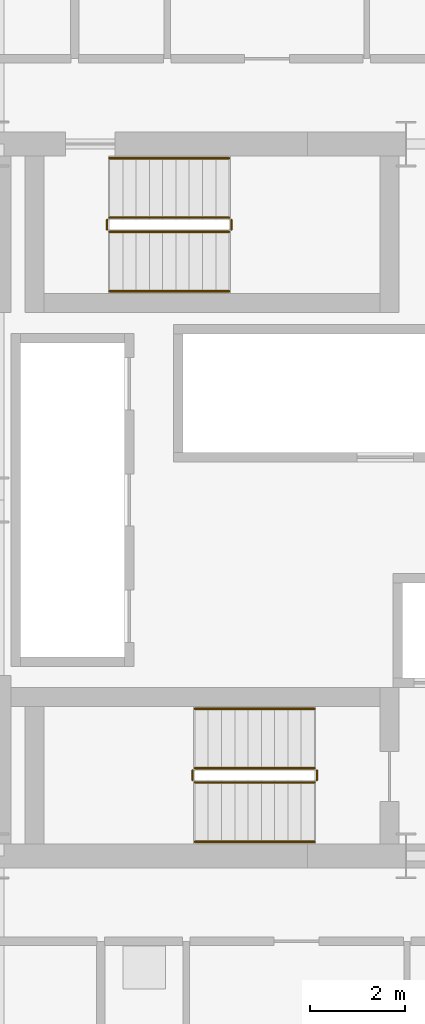
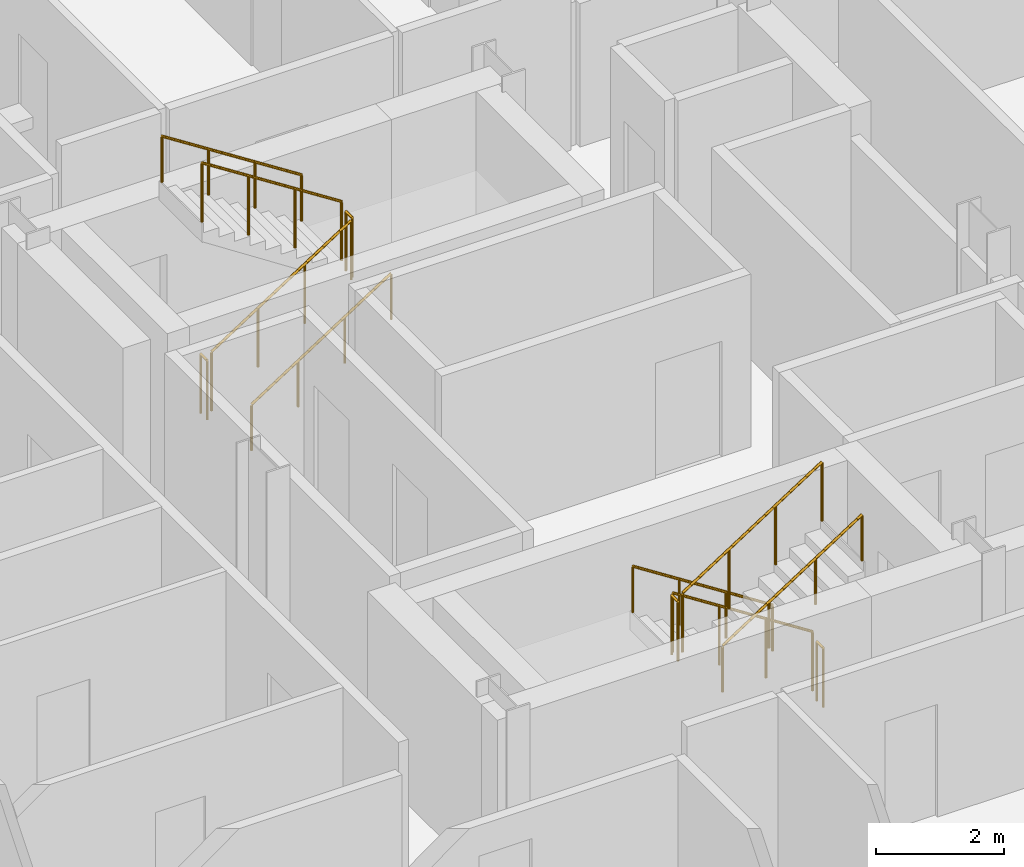
# One storey, part 22 of 23: 12 railings.
"""IFC4 building model written with IfcOpenShell, lengths in metres."""

from ifc_helpers import new_model, si_unit, direction, frame, origin, origin_2d, place, context, subcontext, project, spatial, circle, extrude, material, type_object, element, save


model = new_model("IFC4")

# Units and contexts
model_context = context("Model", 3, precision=1e-05, world=origin(), true_north=direction((0.0, 1.0)))
body_context = subcontext(model_context, "Body", "Model", "MODEL_VIEW")
ifc_project = project(units=[si_unit("LENGTHUNIT", "METRE"), si_unit("AREAUNIT", "SQUARE_METRE"), si_unit("VOLUMEUNIT", "CUBIC_METRE"), si_unit("PLANEANGLEUNIT", "RADIAN"), si_unit("MASSUNIT", "GRAM", prefix="KILO")], contexts=[model_context])

# Site, building, storey
site_placement = place(None, origin())
site = spatial("IfcSite", under=ifc_project, at=site_placement, CompositionType="ELEMENT")
building_placement = place(site_placement, origin())
building = spatial("IfcBuilding", under=site, at=building_placement, Name="Barlavira Tower and Art Museum", CompositionType="ELEMENT")
storey_placement = place(building_placement, frame((0.0, 0.0, 117.0)))
storey = spatial("IfcBuildingStorey", under=building, at=storey_placement, Name="L29", CompositionType="ELEMENT", Elevation=117.0)

# Railings
ifc_material = material(Name="Brushed stainless steel", Category="steel")
railing_type_1 = type_object("IfcRailingType", Name="Interior Void and Landing Guard Railing 1150", PredefinedType="GUARDRAIL", material=ifc_material)
railing_1_placement = place(storey_placement, frame((0.14990234375, -5.64990234375, 0.179931640625)))
element("IfcRailing", 1, at=railing_1_placement, inside=storey, type_object=railing_type_1, Name="L29 ST-T1 stair guard 1", PredefinedType="GUARDRAIL", context=body_context, shape_type="SweptSolid", body=[
    extrude(circle(Radius=0.02392578125, at=origin_2d()), frame((0.0, 0.0, 1.1259765625), z_axis=(-0.841162588446, 0.0, 0.540782303519), x_axis=(0.0, -1.0, 0.0)), (0.0, 0.0, 1.0), 2.995849609375),
    extrude(circle(Radius=0.02099609375, at=origin_2d()), origin(), (0.0, 0.0, 1.0), 1.101806640625),
    extrude(circle(Radius=0.02099609375, at=origin_2d()), frame((-0.840087890625, 0.0, 0.5400390625)), (0.0, 0.0, 1.0), 1.101806640625),
    extrude(circle(Radius=0.02099609375, at=origin_2d()), frame((-1.679931640625, 0.0, 1.080078125)), (0.0, 0.0, 1.0), 1.101806640625),
    extrude(circle(Radius=0.02099609375, at=origin_2d()), frame((-2.52001953125, 0.0, 1.6201171875)), (0.0, 0.0, 1.0), 1.101806640625),
])
railing_2_placement = place(storey_placement, frame((-2.419921875, -5.699951171875, 1.800048828125)))
element("IfcRailing", 2, at=railing_2_placement, inside=storey, type_object=railing_type_1, Name="L29 ST-T1 stair guard 2", PredefinedType="GUARDRAIL", context=body_context, shape_type="SweptSolid", body=[
    extrude(circle(Radius=0.02392578125, at=origin_2d()), frame((0.0, 0.0, 1.1259765625), z_axis=(0.0, -1.0, 0.0), x_axis=(1.0, 0.0, 0.0)), (0.0, 0.0, 1.0), 0.199951171875),
    extrude(circle(Radius=0.02099609375, at=origin_2d()), origin(), (0.0, 0.0, 1.0), 1.101806640625),
    extrude(circle(Radius=0.02099609375, at=origin_2d()), frame((0.0, -0.199951171875, 0.0)), (0.0, 0.0, 1.0), 1.101806640625),
])
railing_3_placement = place(storey_placement, frame((-2.3701171875, -5.949951171875, 1.97998046875)))
element("IfcRailing", 3, at=railing_3_placement, inside=storey, type_object=railing_type_1, Name="L29 ST-T1 stair guard 3", PredefinedType="GUARDRAIL", context=body_context, shape_type="SweptSolid", body=[
    extrude(circle(Radius=0.02392578125, at=origin_2d()), frame((0.0, 0.0, 1.1259765625), z_axis=(0.841162588446, 0.0, 0.540782303519), x_axis=(0.0, 1.0, 0.0)), (0.0, 0.0, 1.0), 2.995849609375),
    extrude(circle(Radius=0.02099609375, at=origin_2d()), origin(), (0.0, 0.0, 1.0), 1.101806640625),
    extrude(circle(Radius=0.02099609375, at=origin_2d()), frame((0.840087890625, 0.0, 0.5400390625)), (0.0, 0.0, 1.0), 1.101806640625),
    extrude(circle(Radius=0.02099609375, at=origin_2d()), frame((1.679931640625, 0.0, 1.080078125)), (0.0, 0.0, 1.0), 1.101806640625),
    extrude(circle(Radius=0.02099609375, at=origin_2d()), frame((2.52001953125, 0.0, 1.6201171875)), (0.0, 0.0, 1.0), 1.101806640625),
])
railing_4_placement = place(storey_placement, frame((0.199951171875, -5.699951171875, 0.0)))
element("IfcRailing", 4, at=railing_4_placement, inside=storey, type_object=railing_type_1, Name="L29 ST-T1 stair guard 4", PredefinedType="GUARDRAIL", context=body_context, shape_type="SweptSolid", body=[
    extrude(circle(Radius=0.02392578125, at=origin_2d()), frame((0.0, 0.0, 1.1259765625), z_axis=(0.0, -1.0, 0.0), x_axis=(1.0, 0.0, 0.0)), (0.0, 0.0, 1.0), 0.199951171875),
    extrude(circle(Radius=0.02099609375, at=origin_2d()), origin(), (0.0, 0.0, 1.0), 1.101806640625),
    extrude(circle(Radius=0.02099609375, at=origin_2d()), frame((0.0, -0.199951171875, 0.0)), (0.0, 0.0, 1.0), 1.101806640625),
])
railing_5_placement = place(storey_placement, frame((-4.169921875, 5.64990234375, 0.179931640625)))
element("IfcRailing", 5, at=railing_5_placement, inside=storey, type_object=railing_type_1, Name="L29 ST-T2 stair guard 1", PredefinedType="GUARDRAIL", context=body_context, shape_type="SweptSolid", body=[
    extrude(circle(Radius=0.02392578125, at=origin_2d()), frame((0.0, 0.0, 1.1259765625), z_axis=(0.841162588446, 0.0, 0.540782303519), x_axis=(0.0, 1.0, 0.0)), (0.0, 0.0, 1.0), 2.995849609375),
    extrude(circle(Radius=0.02099609375, at=origin_2d()), origin(), (0.0, 0.0, 1.0), 1.101806640625),
    extrude(circle(Radius=0.02099609375, at=origin_2d()), frame((0.840087890625, 0.0, 0.5400390625)), (0.0, 0.0, 1.0), 1.101806640625),
    extrude(circle(Radius=0.02099609375, at=origin_2d()), frame((1.679931640625, 0.0, 1.080078125)), (0.0, 0.0, 1.0), 1.101806640625),
    extrude(circle(Radius=0.02099609375, at=origin_2d()), frame((2.52001953125, 0.0, 1.6201171875)), (0.0, 0.0, 1.0), 1.101806640625),
])
railing_6_placement = place(storey_placement, frame((-1.60009765625, 5.699951171875, 1.800048828125)))
element("IfcRailing", 6, at=railing_6_placement, inside=storey, type_object=railing_type_1, Name="L29 ST-T2 stair guard 2", PredefinedType="GUARDRAIL", context=body_context, shape_type="SweptSolid", body=[
    extrude(circle(Radius=0.02392578125, at=origin_2d()), frame((0.0, 0.0, 1.1259765625), z_axis=(0.0, 1.0, 0.0), x_axis=(-1.0, 0.0, 0.0)), (0.0, 0.0, 1.0), 0.199951171875),
    extrude(circle(Radius=0.02099609375, at=origin_2d()), origin(), (0.0, 0.0, 1.0), 1.101806640625),
    extrude(circle(Radius=0.02099609375, at=origin_2d()), frame((0.0, 0.199951171875, 0.0)), (0.0, 0.0, 1.0), 1.101806640625),
])
railing_7_placement = place(storey_placement, frame((-1.64990234375, 5.949951171875, 1.97998046875)))
element("IfcRailing", 7, at=railing_7_placement, inside=storey, type_object=railing_type_1, Name="L29 ST-T2 stair guard 3", PredefinedType="GUARDRAIL", context=body_context, shape_type="SweptSolid", body=[
    extrude(circle(Radius=0.02392578125, at=origin_2d()), frame((0.0, 0.0, 1.1259765625), z_axis=(-0.841162588446, 0.0, 0.540782303519), x_axis=(0.0, -1.0, 0.0)), (0.0, 0.0, 1.0), 2.995849609375),
    extrude(circle(Radius=0.02099609375, at=origin_2d()), origin(), (0.0, 0.0, 1.0), 1.101806640625),
    extrude(circle(Radius=0.02099609375, at=origin_2d()), frame((-0.840087890625, 0.0, 0.5400390625)), (0.0, 0.0, 1.0), 1.101806640625),
    extrude(circle(Radius=0.02099609375, at=origin_2d()), frame((-1.679931640625, 0.0, 1.080078125)), (0.0, 0.0, 1.0), 1.101806640625),
    extrude(circle(Radius=0.02099609375, at=origin_2d()), frame((-2.52001953125, 0.0, 1.6201171875)), (0.0, 0.0, 1.0), 1.101806640625),
])
railing_8_placement = place(storey_placement, frame((-4.219970703125, 5.699951171875, 0.0)))
element("IfcRailing", 8, at=railing_8_placement, inside=storey, type_object=railing_type_1, Name="L29 ST-T2 stair guard 4", PredefinedType="GUARDRAIL", context=body_context, shape_type="SweptSolid", body=[
    extrude(circle(Radius=0.02392578125, at=origin_2d()), frame((0.0, 0.0, 1.1259765625), z_axis=(0.0, 1.0, 0.0), x_axis=(-1.0, 0.0, 0.0)), (0.0, 0.0, 1.0), 0.199951171875),
    extrude(circle(Radius=0.02099609375, at=origin_2d()), origin(), (0.0, 0.0, 1.0), 1.101806640625),
    extrude(circle(Radius=0.02099609375, at=origin_2d()), frame((0.0, 0.199951171875, 0.0)), (0.0, 0.0, 1.0), 1.101806640625),
])
railing_type_2 = type_object("IfcRailingType", Name="Stair Pitch Tubular Steel Handrail 920", PredefinedType="HANDRAIL", material=ifc_material)
railing_9_placement = place(storey_placement, frame((0.14990234375, -4.39990234375, 0.179931640625)))
element("IfcRailing", 9, at=railing_9_placement, inside=storey, type_object=railing_type_2, Name="L29 ST-T1 stair handrail 1", PredefinedType="HANDRAIL", context=body_context, shape_type="SweptSolid", body=[
    extrude(circle(Radius=0.02392578125, at=origin_2d()), frame((0.0, 0.0, 0.8759765625), z_axis=(-0.841162588446, 0.0, 0.540782303519), x_axis=(0.0, -1.0, 0.0)), (0.0, 0.0, 1.0), 2.995849609375),
    extrude(circle(Radius=0.02099609375, at=origin_2d()), origin(), (0.0, 0.0, 1.0), 0.851806640625),
    extrude(circle(Radius=0.02099609375, at=origin_2d()), frame((-0.840087890625, 0.0, 0.5400390625)), (0.0, 0.0, 1.0), 0.851806640625),
    extrude(circle(Radius=0.02099609375, at=origin_2d()), frame((-1.679931640625, 0.0, 1.080078125)), (0.0, 0.0, 1.0), 0.851806640625),
    extrude(circle(Radius=0.02099609375, at=origin_2d()), frame((-2.52001953125, 0.0, 1.6201171875)), (0.0, 0.0, 1.0), 0.851806640625),
])
for number, where, name in (
    (10, (-2.3701171875, -7.199951171875, 1.97998046875), "L29 ST-T1 stair handrail 2"),
    (11, (-4.169921875, 4.39990234375, 0.179931640625), "L29 ST-T2 stair handrail 1"),
):
    element("IfcRailing", number, at=place(storey_placement, frame(where)), inside=storey, type_object=railing_type_2, Name=name, PredefinedType="HANDRAIL", context=body_context, shape_type="SweptSolid", body=[
        extrude(circle(Radius=0.02392578125, at=origin_2d()), frame((0.0, 0.0, 0.8759765625), z_axis=(0.841162588446, 0.0, 0.540782303519), x_axis=(0.0, 1.0, 0.0)), (0.0, 0.0, 1.0), 2.995849609375),
        extrude(circle(Radius=0.02099609375, at=origin_2d()), origin(), (0.0, 0.0, 1.0), 0.851806640625),
        extrude(circle(Radius=0.02099609375, at=origin_2d()), frame((0.840087890625, 0.0, 0.5400390625)), (0.0, 0.0, 1.0), 0.851806640625),
        extrude(circle(Radius=0.02099609375, at=origin_2d()), frame((1.679931640625, 0.0, 1.080078125)), (0.0, 0.0, 1.0), 0.851806640625),
        extrude(circle(Radius=0.02099609375, at=origin_2d()), frame((2.52001953125, 0.0, 1.6201171875)), (0.0, 0.0, 1.0), 0.851806640625),
    ])
railing_10_placement = place(storey_placement, frame((-1.64990234375, 7.199951171875, 1.97998046875)))
element("IfcRailing", 12, at=railing_10_placement, inside=storey, type_object=railing_type_2, Name="L29 ST-T2 stair handrail 2", PredefinedType="HANDRAIL", context=body_context, shape_type="SweptSolid", body=[
    extrude(circle(Radius=0.02392578125, at=origin_2d()), frame((0.0, 0.0, 0.8759765625), z_axis=(-0.841162588446, 0.0, 0.540782303519), x_axis=(0.0, -1.0, 0.0)), (0.0, 0.0, 1.0), 2.995849609375),
    extrude(circle(Radius=0.02099609375, at=origin_2d()), origin(), (0.0, 0.0, 1.0), 0.851806640625),
    extrude(circle(Radius=0.02099609375, at=origin_2d()), frame((-0.840087890625, 0.0, 0.5400390625)), (0.0, 0.0, 1.0), 0.851806640625),
    extrude(circle(Radius=0.02099609375, at=origin_2d()), frame((-1.679931640625, 0.0, 1.080078125)), (0.0, 0.0, 1.0), 0.851806640625),
    extrude(circle(Radius=0.02099609375, at=origin_2d()), frame((-2.52001953125, 0.0, 1.6201171875)), (0.0, 0.0, 1.0), 0.851806640625),
])

save(model, "model.ifc")
